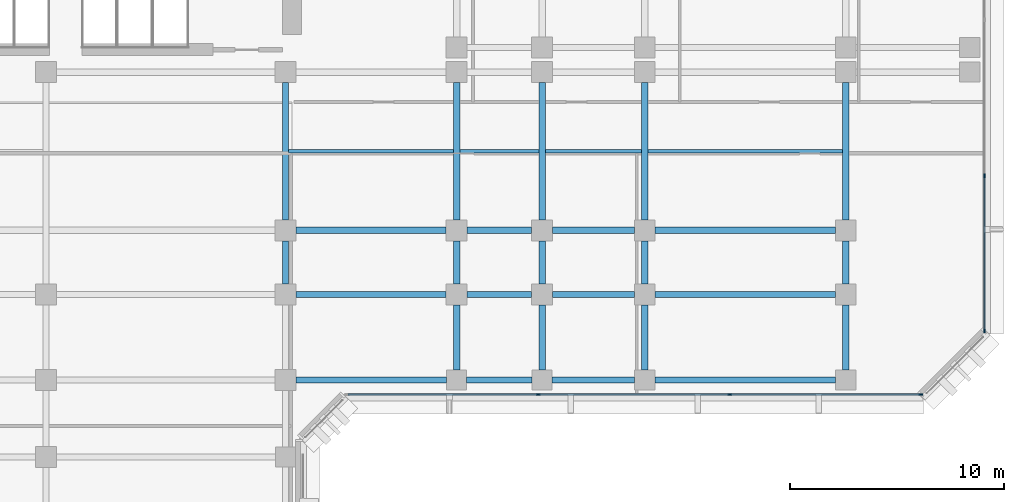
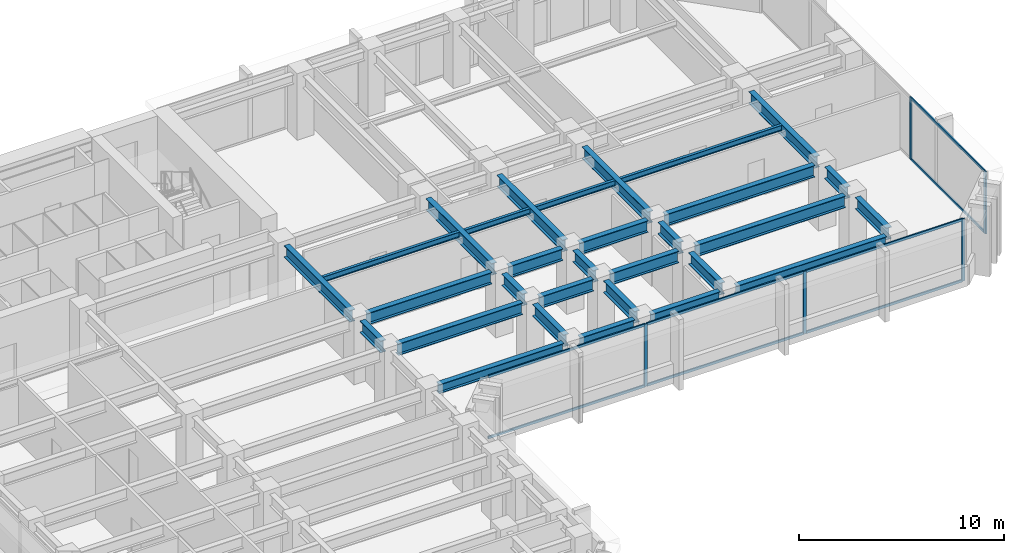
# One storey, part 3 of 13: 30 beams, 13 members, 2 elements without a shape of their own.
"""IFC4 building model written with IfcOpenShell, lengths in metres."""

from ifc_helpers import new_model, si_unit, direction, frame, origin, origin_2d, place, context, subcontext, project, spatial, rectangle, i_section, extrude, material, layer, layer_set, material_profile, profile_set, type_object, element, aggregate, save


model = new_model("IFC4")

# Units and contexts
model_context = context("Model", 3, precision=1e-05, world=origin(), true_north=direction((0.0, 1.0)))
body_context = subcontext(model_context, "Body", "Model", "MODEL_VIEW")
ifc_project = project(units=[si_unit("LENGTHUNIT", "METRE"), si_unit("AREAUNIT", "SQUARE_METRE"), si_unit("VOLUMEUNIT", "CUBIC_METRE"), si_unit("PLANEANGLEUNIT", "RADIAN"), si_unit("MASSUNIT", "GRAM", prefix="KILO")], contexts=[model_context])

# Site, building, storey
site_placement = place(None, origin())
site = spatial("IfcSite", under=ifc_project, at=site_placement, CompositionType="ELEMENT")
building_placement = place(site_placement, origin())
building = spatial("IfcBuilding", under=site, at=building_placement, Name="Kefirva Bronze Tower", CompositionType="ELEMENT")
storey_placement = place(building_placement, frame((0.0, 0.0, 38.280029296875)))
storey = spatial("IfcBuildingStorey", under=building, at=storey_placement, Name="L08", CompositionType="ELEMENT", Elevation=38.280029296875)

# Curtain wall, members
ifc_material_1 = material(Name="Bronze anodised aluminium", Category="aluminium")
ifc_layer = layer(ifc_material_1, 0.199951171875, Name="Bronze anodised aluminium")
ifc_layer_set = layer_set([ifc_layer], Name="Bronze anodised aluminium")
curtain_wall_type = type_object("IfcCurtainWallType", Name="Unitised Bronze Ribbon Curtain Wall Zone 1", PredefinedType="USERDEFINED", material=ifc_layer_set)
curtain_wall_1_placement = place(storey_placement, origin())
curtain_wall_1 = element("IfcCurtainWall", 1, at=curtain_wall_1_placement, inside=storey, type_object=curtain_wall_type, Name="L08 Curtain Wall 1", ObjectType="UNITISED CURTAIN WALL", PredefinedType="USERDEFINED")
ifc_material_profile_1 = material_profile(ifc_material_1, rectangle(XDim=0.074951171875, YDim=0.179931640625, at=origin_2d()), Name="ALU 75x180")
ifc_profile_set_1 = profile_set([ifc_material_profile_1], Name="Bronze anodised aluminium")
member_type_1 = type_object("IfcMemberType", Name="Bronze Mullion 75x180", PredefinedType="MULLION", material=ifc_profile_set_1)
member_1_placement = place(storey_placement, frame((35.018310546875, 18.1201171875, 0.0), z_axis=(0.0, 0.0, 1.0), x_axis=(0.0, 1.0, 0.0)))
member_1 = element("IfcMember", 2, at=member_1_placement, type_object=member_type_1, Name="CW-01 mullion 2", PredefinedType="MULLION", context=body_context, shape_type="SweptSolid", body=[
    extrude(rectangle(XDim=0.074951171875, YDim=0.179931640625, at=origin_2d()), origin(), (0.0, 0.0, 1.0), 3.7099609375),
])
member_2_placement = place(storey_placement, frame((43.981689453125, 18.1201171875, 0.0), z_axis=(0.0, 0.0, 1.0), x_axis=(0.0, 1.0, 0.0)))
member_2 = element("IfcMember", 3, at=member_2_placement, type_object=member_type_1, Name="CW-01 mullion 3", PredefinedType="MULLION", context=body_context, shape_type="SweptSolid", body=[
    extrude(rectangle(XDim=0.074951171875, YDim=0.179931640625, at=origin_2d()), origin(), (0.0, 0.0, 1.0), 3.7099609375),
])
member_3_placement = place(storey_placement, frame((52.907470703125, 18.1201171875, 0.0), z_axis=(0.0, 0.0, 1.0), x_axis=(0.0, 1.0, 0.0)))
member_3 = element("IfcMember", 4, at=member_3_placement, type_object=member_type_1, Name="CW-01 mullion 4", PredefinedType="MULLION", context=body_context, shape_type="SweptSolid", body=[
    extrude(rectangle(XDim=0.074951171875, YDim=0.179931640625, at=origin_2d()), origin(), (0.0, 0.0, 1.0), 3.7099609375),
])

curtain_wall_2_placement = place(storey_placement, origin())
curtain_wall_2 = element("IfcCurtainWall", 5, at=curtain_wall_2_placement, inside=storey, type_object=curtain_wall_type, Name="L08 Curtain Wall 2", ObjectType="UNITISED CURTAIN WALL", PredefinedType="USERDEFINED")
member_4_placement = place(storey_placement, frame((55.8798828125, 21.092529296875, 0.0), z_axis=(0.0, 0.0, 1.0), x_axis=(-1.0, 0.0, 0.0)))
member_4 = element("IfcMember", 6, at=member_4_placement, type_object=member_type_1, Name="CW-01 mullion 1", PredefinedType="MULLION", context=body_context, shape_type="SweptSolid", body=[
    extrude(rectangle(XDim=0.074951171875, YDim=0.179931640625, at=origin_2d()), origin(), (0.0, 0.0, 1.0), 3.7099609375),
])
member_5_placement = place(storey_placement, frame((55.8798828125, 28.3515625, 0.0), z_axis=(0.0, 0.0, 1.0), x_axis=(-1.0, 0.0, 0.0)))
member_5 = element("IfcMember", 7, at=member_5_placement, type_object=member_type_1, Name="CW-01 mullion 2", PredefinedType="MULLION", context=body_context, shape_type="SweptSolid", body=[
    extrude(rectangle(XDim=0.074951171875, YDim=0.179931640625, at=origin_2d()), origin(), (0.0, 0.0, 1.0), 3.7099609375),
])

# Member
ifc_material_profile_2 = material_profile(ifc_material_1, rectangle(XDim=0.074951171875, YDim=0.14990234375, at=origin_2d()), Name="ALU 75x150")
ifc_profile_set_2 = profile_set([ifc_material_profile_2], Name="Bronze anodised aluminium")
member_type_2 = type_object("IfcMemberType", Name="Bronze Transom 75x150", PredefinedType="USERDEFINED", material=ifc_profile_set_2)
member_6_placement = place(storey_placement, frame((26.1298828125, 18.1201171875, 0.037353515625), z_axis=(1.0, 0.0, 0.0), x_axis=(0.0, 1.0, 0.0)))
member_6 = element("IfcMember", 8, at=member_6_placement, type_object=member_type_2, Name="CW-01 transom 1.1", ObjectType="TRANSOM", PredefinedType="USERDEFINED", context=body_context, shape_type="SweptSolid", body=[
    extrude(rectangle(XDim=0.074951171875, YDim=0.14990234375, at=origin_2d()), origin(), (0.0, 0.0, 1.0), 8.850830078125),
])

member_7_placement = place(storey_placement, frame((26.1298828125, 18.1201171875, 3.67236328125), z_axis=(1.0, 0.0, 0.0), x_axis=(0.0, 1.0, 0.0)))
member_7 = element("IfcMember", 9, at=member_7_placement, type_object=member_type_2, Name="CW-01 transom 1.2", ObjectType="TRANSOM", PredefinedType="USERDEFINED", context=body_context, shape_type="SweptSolid", body=[
    extrude(rectangle(XDim=0.074951171875, YDim=0.14990234375, at=origin_2d()), origin(), (0.0, 0.0, 1.0), 8.850830078125),
])

member_8_placement = place(storey_placement, frame((35.055908203125, 18.1201171875, 0.037353515625), z_axis=(1.0, 0.0, 0.0), x_axis=(0.0, 1.0, 0.0)))
member_8 = element("IfcMember", 10, at=member_8_placement, type_object=member_type_2, Name="CW-01 transom 2.1", ObjectType="TRANSOM", PredefinedType="USERDEFINED", context=body_context, shape_type="SweptSolid", body=[
    extrude(rectangle(XDim=0.074951171875, YDim=0.14990234375, at=origin_2d()), origin(), (0.0, 0.0, 1.0), 8.88818359375),
])

member_9_placement = place(storey_placement, frame((35.055908203125, 18.1201171875, 3.67236328125), z_axis=(1.0, 0.0, 0.0), x_axis=(0.0, 1.0, 0.0)))
member_9 = element("IfcMember", 11, at=member_9_placement, type_object=member_type_2, Name="CW-01 transom 2.2", ObjectType="TRANSOM", PredefinedType="USERDEFINED", context=body_context, shape_type="SweptSolid", body=[
    extrude(rectangle(XDim=0.074951171875, YDim=0.14990234375, at=origin_2d()), origin(), (0.0, 0.0, 1.0), 8.88818359375),
])

member_10_placement = place(storey_placement, frame((44.019287109375, 18.1201171875, 0.037353515625), z_axis=(1.0, 0.0, 0.0), x_axis=(0.0, 1.0, 0.0)))
member_10 = element("IfcMember", 12, at=member_10_placement, type_object=member_type_2, Name="CW-01 transom 3.1", ObjectType="TRANSOM", PredefinedType="USERDEFINED", context=body_context, shape_type="SweptSolid", body=[
    extrude(rectangle(XDim=0.074951171875, YDim=0.14990234375, at=origin_2d()), origin(), (0.0, 0.0, 1.0), 8.850830078125),
])

member_11_placement = place(storey_placement, frame((44.019287109375, 18.1201171875, 3.67236328125), z_axis=(1.0, 0.0, 0.0), x_axis=(0.0, 1.0, 0.0)))
member_11 = element("IfcMember", 13, at=member_11_placement, type_object=member_type_2, Name="CW-01 transom 3.2", ObjectType="TRANSOM", PredefinedType="USERDEFINED", context=body_context, shape_type="SweptSolid", body=[
    extrude(rectangle(XDim=0.074951171875, YDim=0.14990234375, at=origin_2d()), origin(), (0.0, 0.0, 1.0), 8.850830078125),
])

aggregate(curtain_wall_1, [member_1, member_2, member_3, member_6, member_7, member_8, member_9, member_10, member_11])

member_12_placement = place(storey_placement, frame((55.8798828125, 21.1298828125, 0.037353515625), z_axis=(0.0, 1.0, 0.0), x_axis=(-1.0, 0.0, 0.0)))
member_12 = element("IfcMember", 14, at=member_12_placement, type_object=member_type_2, Name="CW-01 transom 1.1", ObjectType="TRANSOM", PredefinedType="USERDEFINED", context=body_context, shape_type="SweptSolid", body=[
    extrude(rectangle(XDim=0.074951171875, YDim=0.14990234375, at=origin_2d()), origin(), (0.0, 0.0, 1.0), 7.184326171875),
])

member_13_placement = place(storey_placement, frame((55.8798828125, 21.1298828125, 3.67236328125), z_axis=(0.0, 1.0, 0.0), x_axis=(-1.0, 0.0, 0.0)))
member_13 = element("IfcMember", 15, at=member_13_placement, type_object=member_type_2, Name="CW-01 transom 1.2", ObjectType="TRANSOM", PredefinedType="USERDEFINED", context=body_context, shape_type="SweptSolid", body=[
    extrude(rectangle(XDim=0.074951171875, YDim=0.14990234375, at=origin_2d()), origin(), (0.0, 0.0, 1.0), 7.184326171875),
])

aggregate(curtain_wall_2, [member_4, member_5, member_12, member_13])

# Beams
ifc_material_2 = material(Name="Steel S355", Category="steel")
ifc_material_profile_3 = material_profile(ifc_material_2, i_section(OverallWidth=0.159912109375, OverallDepth=0.330078125, WebThickness=0.007568359375, FlangeThickness=0.011474609375, at=origin_2d()), Name="IPE 330")
ifc_profile_set_3 = profile_set([ifc_material_profile_3], Name="Steel S355")
beam_type_1 = type_object("IfcBeamType", Name="Steel Floor Joist IPE 330", PredefinedType="JOIST", material=ifc_profile_set_3)
beam_1_placement = place(storey_placement, frame((23.35009765625, 29.5, 3.544921875), z_axis=(1.0, 0.0, 0.0), x_axis=(0.0, 1.0, 0.0)))
element("IfcBeam", 16, at=beam_1_placement, inside=storey, type_object=beam_type_1, Name="L08 JST-L08-23-295", PredefinedType="JOIST", context=body_context, shape_type="SweptSolid", body=[
    extrude(i_section(OverallWidth=0.159912109375, OverallDepth=0.330078125, WebThickness=0.007568359375, FlangeThickness=0.011474609375, at=origin_2d()), origin(), (0.0, 0.0, 1.0), 7.699951171875),
])
beam_2_placement = place(storey_placement, frame((31.35009765625, 29.5, 3.544921875), z_axis=(1.0, 0.0, 0.0), x_axis=(0.0, 1.0, 0.0)))
element("IfcBeam", 17, at=beam_2_placement, inside=storey, type_object=beam_type_1, Name="L08 JST-L08-31-295", PredefinedType="JOIST", context=body_context, shape_type="SweptSolid", body=[
    extrude(i_section(OverallWidth=0.159912109375, OverallDepth=0.330078125, WebThickness=0.007568359375, FlangeThickness=0.011474609375, at=origin_2d()), origin(), (0.0, 0.0, 1.0), 3.699951171875),
])
beam_3_placement = place(storey_placement, frame((35.35009765625, 29.5, 3.544921875), z_axis=(1.0, 0.0, 0.0), x_axis=(0.0, 1.0, 0.0)))
element("IfcBeam", 18, at=beam_3_placement, inside=storey, type_object=beam_type_1, Name="L08 JST-L08-35-295", PredefinedType="JOIST", context=body_context, shape_type="SweptSolid", body=[
    extrude(i_section(OverallWidth=0.159912109375, OverallDepth=0.330078125, WebThickness=0.007568359375, FlangeThickness=0.011474609375, at=origin_2d()), origin(), (0.0, 0.0, 1.0), 4.5),
])
beam_4_placement = place(storey_placement, frame((40.14990234375, 29.5, 3.544921875), z_axis=(1.0, 0.0, 0.0), x_axis=(0.0, 1.0, 0.0)))
element("IfcBeam", 19, at=beam_4_placement, inside=storey, type_object=beam_type_1, Name="L08 JST-L08-40-295", PredefinedType="JOIST", context=body_context, shape_type="SweptSolid", body=[
    extrude(i_section(OverallWidth=0.159912109375, OverallDepth=0.330078125, WebThickness=0.007568359375, FlangeThickness=0.011474609375, at=origin_2d()), origin(), (0.0, 0.0, 1.0), 9.10009765625),
])
ifc_material_profile_4 = material_profile(ifc_material_2, i_section(OverallWidth=0.300048828125, OverallDepth=0.699951171875, WebThickness=0.01708984375, FlangeThickness=0.031982421875, at=origin_2d()), Name="HEB 700")
ifc_profile_set_4 = profile_set([ifc_material_profile_4], Name="Steel S355")
beam_type_2 = type_object("IfcBeamType", Name="Steel Girder HEB 700", PredefinedType="USERDEFINED", material=ifc_profile_set_4)
beam_5_placement = place(storey_placement, frame((23.68994140625, 22.800048828125, 3.35986328125), z_axis=(1.0, 0.0, 0.0), x_axis=(0.0, 1.0, 0.0)))
element("IfcBeam", 20, at=beam_5_placement, inside=storey, type_object=beam_type_2, Name="L08 BM-L08-EW-23-228", ObjectType="GIRDER", PredefinedType="USERDEFINED", context=body_context, shape_type="SweptSolid", body=[
    extrude(i_section(OverallWidth=0.300048828125, OverallDepth=0.699951171875, WebThickness=0.01708984375, FlangeThickness=0.031982421875, at=origin_2d()), origin(), (0.0, 0.0, 1.0), 7.02001953125),
])
beam_6_placement = place(storey_placement, frame((31.68994140625, 22.800048828125, 3.35986328125), z_axis=(1.0, 0.0, 0.0), x_axis=(0.0, 1.0, 0.0)))
element("IfcBeam", 21, at=beam_6_placement, inside=storey, type_object=beam_type_2, Name="L08 BM-L08-EW-31-228", ObjectType="GIRDER", PredefinedType="USERDEFINED", context=body_context, shape_type="SweptSolid", body=[
    extrude(i_section(OverallWidth=0.300048828125, OverallDepth=0.699951171875, WebThickness=0.01708984375, FlangeThickness=0.031982421875, at=origin_2d()), origin(), (0.0, 0.0, 1.0), 3.02001953125),
])
beam_7_placement = place(storey_placement, frame((35.68994140625, 22.800048828125, 3.35986328125), z_axis=(1.0, 0.0, 0.0), x_axis=(0.0, 1.0, 0.0)))
element("IfcBeam", 22, at=beam_7_placement, inside=storey, type_object=beam_type_2, Name="L08 BM-L08-EW-35-228", ObjectType="GIRDER", PredefinedType="USERDEFINED", context=body_context, shape_type="SweptSolid", body=[
    extrude(i_section(OverallWidth=0.300048828125, OverallDepth=0.699951171875, WebThickness=0.01708984375, FlangeThickness=0.031982421875, at=origin_2d()), origin(), (0.0, 0.0, 1.0), 3.820068359375),
])
beam_8_placement = place(storey_placement, frame((40.489990234375, 22.800048828125, 3.35986328125), z_axis=(1.0, 0.0, 0.0), x_axis=(0.0, 1.0, 0.0)))
element("IfcBeam", 23, at=beam_8_placement, inside=storey, type_object=beam_type_2, Name="L08 BM-L08-EW-40-228", ObjectType="GIRDER", PredefinedType="USERDEFINED", context=body_context, shape_type="SweptSolid", body=[
    extrude(i_section(OverallWidth=0.300048828125, OverallDepth=0.699951171875, WebThickness=0.01708984375, FlangeThickness=0.031982421875, at=origin_2d()), origin(), (0.0, 0.0, 1.0), 8.419921875),
])
beam_9_placement = place(storey_placement, frame((23.68994140625, 25.800048828125, 3.35986328125), z_axis=(1.0, 0.0, 0.0), x_axis=(0.0, 1.0, 0.0)))
element("IfcBeam", 24, at=beam_9_placement, inside=storey, type_object=beam_type_2, Name="L08 BM-L08-EW-23-258", ObjectType="GIRDER", PredefinedType="USERDEFINED", context=body_context, shape_type="SweptSolid", body=[
    extrude(i_section(OverallWidth=0.300048828125, OverallDepth=0.699951171875, WebThickness=0.01708984375, FlangeThickness=0.031982421875, at=origin_2d()), origin(), (0.0, 0.0, 1.0), 7.02001953125),
])
beam_10_placement = place(storey_placement, frame((31.68994140625, 25.800048828125, 3.35986328125), z_axis=(1.0, 0.0, 0.0), x_axis=(0.0, 1.0, 0.0)))
element("IfcBeam", 25, at=beam_10_placement, inside=storey, type_object=beam_type_2, Name="L08 BM-L08-EW-31-258", ObjectType="GIRDER", PredefinedType="USERDEFINED", context=body_context, shape_type="SweptSolid", body=[
    extrude(i_section(OverallWidth=0.300048828125, OverallDepth=0.699951171875, WebThickness=0.01708984375, FlangeThickness=0.031982421875, at=origin_2d()), origin(), (0.0, 0.0, 1.0), 3.02001953125),
])
beam_11_placement = place(storey_placement, frame((35.68994140625, 25.800048828125, 3.35986328125), z_axis=(1.0, 0.0, 0.0), x_axis=(0.0, 1.0, 0.0)))
element("IfcBeam", 26, at=beam_11_placement, inside=storey, type_object=beam_type_2, Name="L08 BM-L08-EW-35-258", ObjectType="GIRDER", PredefinedType="USERDEFINED", context=body_context, shape_type="SweptSolid", body=[
    extrude(i_section(OverallWidth=0.300048828125, OverallDepth=0.699951171875, WebThickness=0.01708984375, FlangeThickness=0.031982421875, at=origin_2d()), origin(), (0.0, 0.0, 1.0), 3.820068359375),
])
beam_12_placement = place(storey_placement, frame((40.489990234375, 25.800048828125, 3.35986328125), z_axis=(1.0, 0.0, 0.0), x_axis=(0.0, 1.0, 0.0)))
element("IfcBeam", 27, at=beam_12_placement, inside=storey, type_object=beam_type_2, Name="L08 BM-L08-EW-40-258", ObjectType="GIRDER", PredefinedType="USERDEFINED", context=body_context, shape_type="SweptSolid", body=[
    extrude(i_section(OverallWidth=0.300048828125, OverallDepth=0.699951171875, WebThickness=0.01708984375, FlangeThickness=0.031982421875, at=origin_2d()), origin(), (0.0, 0.0, 1.0), 8.419921875),
])
beam_13_placement = place(storey_placement, frame((23.199951171875, 23.2900390625, 3.35986328125), z_axis=(0.0, 1.0, 0.0), x_axis=(-1.0, 0.0, 0.0)))
element("IfcBeam", 28, at=beam_13_placement, inside=storey, type_object=beam_type_2, Name="L08 BM-L08-NS-232-22", ObjectType="GIRDER", PredefinedType="USERDEFINED", context=body_context, shape_type="SweptSolid", body=[
    extrude(i_section(OverallWidth=0.300048828125, OverallDepth=0.699951171875, WebThickness=0.01708984375, FlangeThickness=0.031982421875, at=origin_2d()), origin(), (0.0, 0.0, 1.0), 2.02001953125),
])
beam_14_placement = place(storey_placement, frame((23.199951171875, 26.2900390625, 3.35986328125), z_axis=(0.0, 1.0, 0.0), x_axis=(-1.0, 0.0, 0.0)))
element("IfcBeam", 29, at=beam_14_placement, inside=storey, type_object=beam_type_2, Name="L08 BM-L08-NS-232-25", ObjectType="GIRDER", PredefinedType="USERDEFINED", context=body_context, shape_type="SweptSolid", body=[
    extrude(i_section(OverallWidth=0.300048828125, OverallDepth=0.699951171875, WebThickness=0.01708984375, FlangeThickness=0.031982421875, at=origin_2d()), origin(), (0.0, 0.0, 1.0), 6.419921875),
])
beam_15_placement = place(storey_placement, frame((31.199951171875, 19.27001953125, 3.35986328125), z_axis=(0.0, 1.0, 0.0), x_axis=(-1.0, 0.0, 0.0)))
element("IfcBeam", 30, at=beam_15_placement, inside=storey, type_object=beam_type_2, Name="L08 BM-L08-NS-312-18", ObjectType="GIRDER", PredefinedType="USERDEFINED", context=body_context, shape_type="SweptSolid", body=[
    extrude(i_section(OverallWidth=0.300048828125, OverallDepth=0.699951171875, WebThickness=0.01708984375, FlangeThickness=0.031982421875, at=origin_2d()), origin(), (0.0, 0.0, 1.0), 3.0400390625),
])
beam_16_placement = place(storey_placement, frame((31.199951171875, 23.2900390625, 3.35986328125), z_axis=(0.0, 1.0, 0.0), x_axis=(-1.0, 0.0, 0.0)))
element("IfcBeam", 31, at=beam_16_placement, inside=storey, type_object=beam_type_2, Name="L08 BM-L08-NS-312-22", ObjectType="GIRDER", PredefinedType="USERDEFINED", context=body_context, shape_type="SweptSolid", body=[
    extrude(i_section(OverallWidth=0.300048828125, OverallDepth=0.699951171875, WebThickness=0.01708984375, FlangeThickness=0.031982421875, at=origin_2d()), origin(), (0.0, 0.0, 1.0), 2.02001953125),
])
beam_17_placement = place(storey_placement, frame((31.199951171875, 26.2900390625, 3.35986328125), z_axis=(0.0, 1.0, 0.0), x_axis=(-1.0, 0.0, 0.0)))
element("IfcBeam", 32, at=beam_17_placement, inside=storey, type_object=beam_type_2, Name="L08 BM-L08-NS-312-25", ObjectType="GIRDER", PredefinedType="USERDEFINED", context=body_context, shape_type="SweptSolid", body=[
    extrude(i_section(OverallWidth=0.300048828125, OverallDepth=0.699951171875, WebThickness=0.01708984375, FlangeThickness=0.031982421875, at=origin_2d()), origin(), (0.0, 0.0, 1.0), 6.419921875),
])
beam_18_placement = place(storey_placement, frame((35.199951171875, 19.27001953125, 3.35986328125), z_axis=(0.0, 1.0, 0.0), x_axis=(-1.0, 0.0, 0.0)))
element("IfcBeam", 33, at=beam_18_placement, inside=storey, type_object=beam_type_2, Name="L08 BM-L08-NS-352-18", ObjectType="GIRDER", PredefinedType="USERDEFINED", context=body_context, shape_type="SweptSolid", body=[
    extrude(i_section(OverallWidth=0.300048828125, OverallDepth=0.699951171875, WebThickness=0.01708984375, FlangeThickness=0.031982421875, at=origin_2d()), origin(), (0.0, 0.0, 1.0), 3.0400390625),
])
beam_19_placement = place(storey_placement, frame((35.199951171875, 23.2900390625, 3.35986328125), z_axis=(0.0, 1.0, 0.0), x_axis=(-1.0, 0.0, 0.0)))
element("IfcBeam", 34, at=beam_19_placement, inside=storey, type_object=beam_type_2, Name="L08 BM-L08-NS-352-22", ObjectType="GIRDER", PredefinedType="USERDEFINED", context=body_context, shape_type="SweptSolid", body=[
    extrude(i_section(OverallWidth=0.300048828125, OverallDepth=0.699951171875, WebThickness=0.01708984375, FlangeThickness=0.031982421875, at=origin_2d()), origin(), (0.0, 0.0, 1.0), 2.02001953125),
])
beam_20_placement = place(storey_placement, frame((35.199951171875, 26.2900390625, 3.35986328125), z_axis=(0.0, 1.0, 0.0), x_axis=(-1.0, 0.0, 0.0)))
element("IfcBeam", 35, at=beam_20_placement, inside=storey, type_object=beam_type_2, Name="L08 BM-L08-NS-352-25", ObjectType="GIRDER", PredefinedType="USERDEFINED", context=body_context, shape_type="SweptSolid", body=[
    extrude(i_section(OverallWidth=0.300048828125, OverallDepth=0.699951171875, WebThickness=0.01708984375, FlangeThickness=0.031982421875, at=origin_2d()), origin(), (0.0, 0.0, 1.0), 6.419921875),
])
beam_21_placement = place(storey_placement, frame((40.0, 19.27001953125, 3.35986328125), z_axis=(0.0, 1.0, 0.0), x_axis=(-1.0, 0.0, 0.0)))
element("IfcBeam", 36, at=beam_21_placement, inside=storey, type_object=beam_type_2, Name="L08 BM-L08-NS-400-18", ObjectType="GIRDER", PredefinedType="USERDEFINED", context=body_context, shape_type="SweptSolid", body=[
    extrude(i_section(OverallWidth=0.300048828125, OverallDepth=0.699951171875, WebThickness=0.01708984375, FlangeThickness=0.031982421875, at=origin_2d()), origin(), (0.0, 0.0, 1.0), 3.0400390625),
])
beam_22_placement = place(storey_placement, frame((40.0, 23.2900390625, 3.35986328125), z_axis=(0.0, 1.0, 0.0), x_axis=(-1.0, 0.0, 0.0)))
element("IfcBeam", 37, at=beam_22_placement, inside=storey, type_object=beam_type_2, Name="L08 BM-L08-NS-400-22", ObjectType="GIRDER", PredefinedType="USERDEFINED", context=body_context, shape_type="SweptSolid", body=[
    extrude(i_section(OverallWidth=0.300048828125, OverallDepth=0.699951171875, WebThickness=0.01708984375, FlangeThickness=0.031982421875, at=origin_2d()), origin(), (0.0, 0.0, 1.0), 2.02001953125),
])
beam_23_placement = place(storey_placement, frame((40.0, 26.2900390625, 3.35986328125), z_axis=(0.0, 1.0, 0.0), x_axis=(-1.0, 0.0, 0.0)))
element("IfcBeam", 38, at=beam_23_placement, inside=storey, type_object=beam_type_2, Name="L08 BM-L08-NS-400-25", ObjectType="GIRDER", PredefinedType="USERDEFINED", context=body_context, shape_type="SweptSolid", body=[
    extrude(i_section(OverallWidth=0.300048828125, OverallDepth=0.699951171875, WebThickness=0.01708984375, FlangeThickness=0.031982421875, at=origin_2d()), origin(), (0.0, 0.0, 1.0), 6.419921875),
])
beam_24_placement = place(storey_placement, frame((49.39990234375, 19.27001953125, 3.35986328125), z_axis=(0.0, 1.0, 0.0), x_axis=(-1.0, 0.0, 0.0)))
element("IfcBeam", 39, at=beam_24_placement, inside=storey, type_object=beam_type_2, Name="L08 BM-L08-NS-494-18", ObjectType="GIRDER", PredefinedType="USERDEFINED", context=body_context, shape_type="SweptSolid", body=[
    extrude(i_section(OverallWidth=0.300048828125, OverallDepth=0.699951171875, WebThickness=0.01708984375, FlangeThickness=0.031982421875, at=origin_2d()), origin(), (0.0, 0.0, 1.0), 3.0400390625),
])
beam_25_placement = place(storey_placement, frame((49.39990234375, 23.2900390625, 3.35986328125), z_axis=(0.0, 1.0, 0.0), x_axis=(-1.0, 0.0, 0.0)))
element("IfcBeam", 40, at=beam_25_placement, inside=storey, type_object=beam_type_2, Name="L08 BM-L08-NS-494-22", ObjectType="GIRDER", PredefinedType="USERDEFINED", context=body_context, shape_type="SweptSolid", body=[
    extrude(i_section(OverallWidth=0.300048828125, OverallDepth=0.699951171875, WebThickness=0.01708984375, FlangeThickness=0.031982421875, at=origin_2d()), origin(), (0.0, 0.0, 1.0), 2.02001953125),
])
beam_26_placement = place(storey_placement, frame((49.39990234375, 26.2900390625, 3.35986328125), z_axis=(0.0, 1.0, 0.0), x_axis=(-1.0, 0.0, 0.0)))
element("IfcBeam", 41, at=beam_26_placement, inside=storey, type_object=beam_type_2, Name="L08 BM-L08-NS-494-25", ObjectType="GIRDER", PredefinedType="USERDEFINED", context=body_context, shape_type="SweptSolid", body=[
    extrude(i_section(OverallWidth=0.300048828125, OverallDepth=0.699951171875, WebThickness=0.01708984375, FlangeThickness=0.031982421875, at=origin_2d()), origin(), (0.0, 0.0, 1.0), 6.419921875),
])
ifc_material_profile_5 = material_profile(ifc_material_2, i_section(OverallWidth=0.300048828125, OverallDepth=0.550048828125, WebThickness=0.014892578125, FlangeThickness=0.029052734375, at=origin_2d()), Name="HEB 550")
ifc_profile_set_5 = profile_set([ifc_material_profile_5], Name="Steel S355")
beam_type_3 = type_object("IfcBeamType", Name="Steel Spandrel HEB 550 Ext", PredefinedType="SPANDREL", material=ifc_profile_set_5)
beam_27_placement = place(storey_placement, frame((23.68994140625, 18.800048828125, 3.43505859375), z_axis=(1.0, 0.0, 0.0), x_axis=(0.0, 1.0, 0.0)))
element("IfcBeam", 42, at=beam_27_placement, inside=storey, type_object=beam_type_3, Name="L08 BM-L08-EW-23-188", PredefinedType="SPANDREL", context=body_context, shape_type="SweptSolid", body=[
    extrude(i_section(OverallWidth=0.300048828125, OverallDepth=0.550048828125, WebThickness=0.014892578125, FlangeThickness=0.029052734375, at=origin_2d()), origin(), (0.0, 0.0, 1.0), 7.0400390625),
])
beam_28_placement = place(storey_placement, frame((31.669921875, 18.800048828125, 3.43505859375), z_axis=(1.0, 0.0, 0.0), x_axis=(0.0, 1.0, 0.0)))
element("IfcBeam", 43, at=beam_28_placement, inside=storey, type_object=beam_type_3, Name="L08 BM-L08-EW-31-188", PredefinedType="SPANDREL", context=body_context, shape_type="SweptSolid", body=[
    extrude(i_section(OverallWidth=0.300048828125, OverallDepth=0.550048828125, WebThickness=0.014892578125, FlangeThickness=0.029052734375, at=origin_2d()), origin(), (0.0, 0.0, 1.0), 3.06005859375),
])
beam_29_placement = place(storey_placement, frame((35.669921875, 18.800048828125, 3.43505859375), z_axis=(1.0, 0.0, 0.0), x_axis=(0.0, 1.0, 0.0)))
element("IfcBeam", 44, at=beam_29_placement, inside=storey, type_object=beam_type_3, Name="L08 BM-L08-EW-35-188", PredefinedType="SPANDREL", context=body_context, shape_type="SweptSolid", body=[
    extrude(i_section(OverallWidth=0.300048828125, OverallDepth=0.550048828125, WebThickness=0.014892578125, FlangeThickness=0.029052734375, at=origin_2d()), origin(), (0.0, 0.0, 1.0), 3.860107421875),
])
beam_30_placement = place(storey_placement, frame((40.469970703125, 18.800048828125, 3.43505859375), z_axis=(1.0, 0.0, 0.0), x_axis=(0.0, 1.0, 0.0)))
element("IfcBeam", 45, at=beam_30_placement, inside=storey, type_object=beam_type_3, Name="L08 BM-L08-EW-40-188", PredefinedType="SPANDREL", context=body_context, shape_type="SweptSolid", body=[
    extrude(i_section(OverallWidth=0.300048828125, OverallDepth=0.550048828125, WebThickness=0.014892578125, FlangeThickness=0.029052734375, at=origin_2d()), origin(), (0.0, 0.0, 1.0), 8.4599609375),
])

save(model, "model.ifc")
